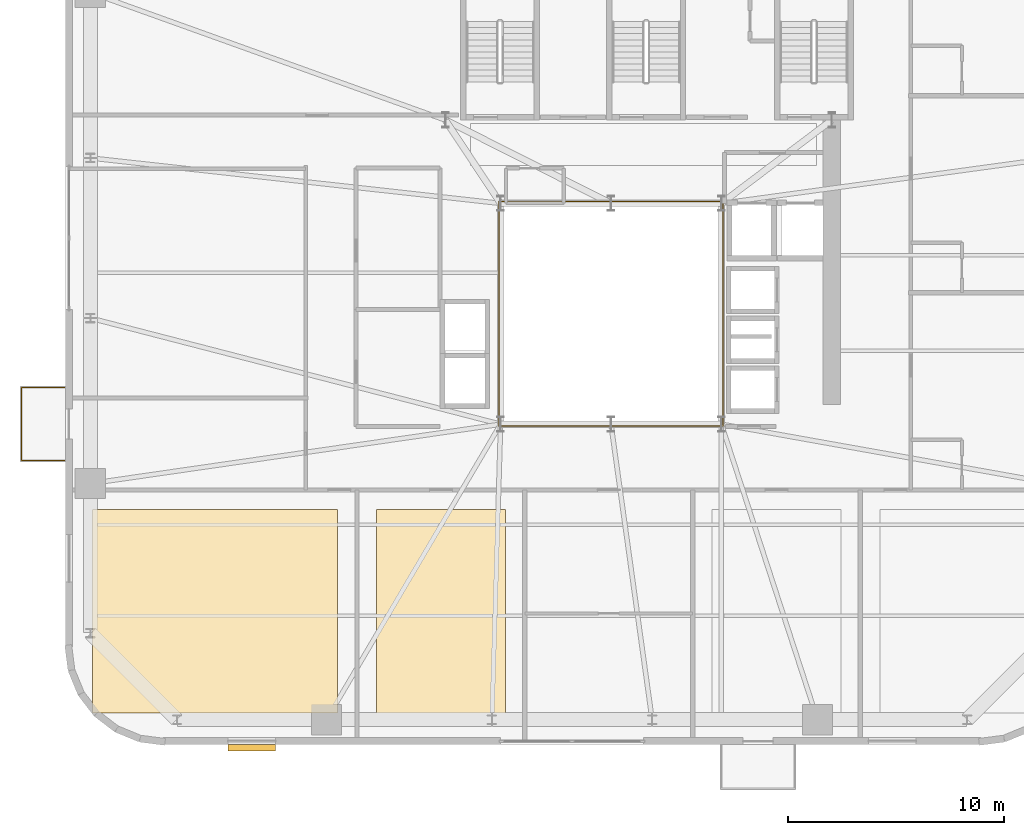
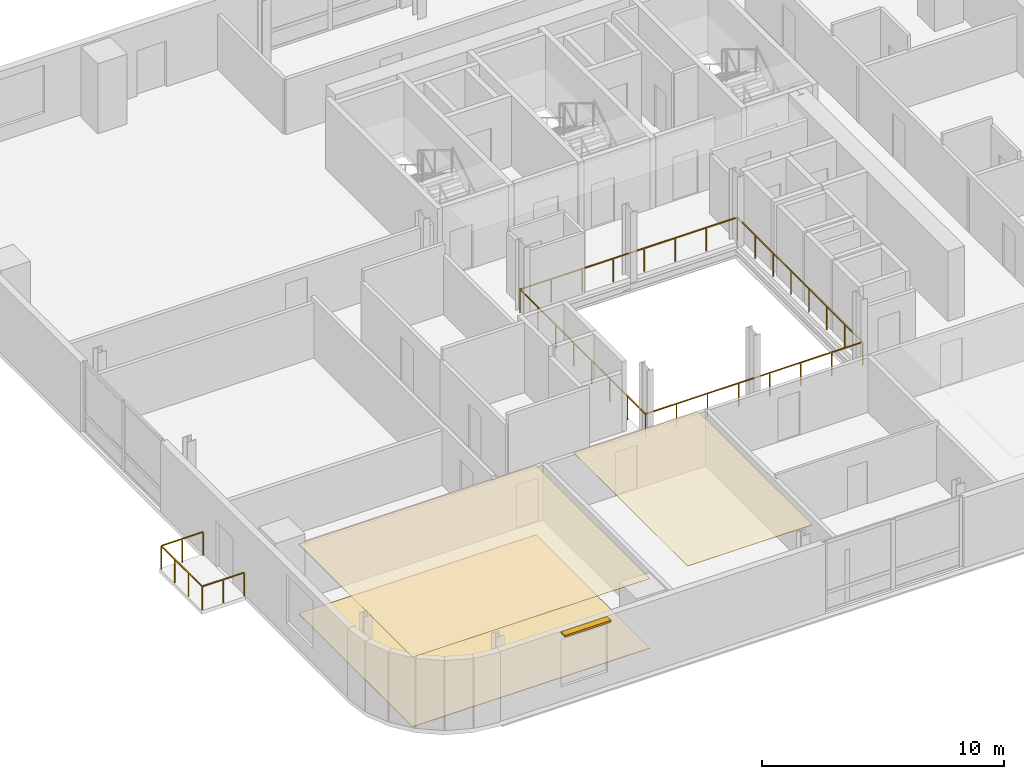
# One storey, part 12 of 16: 3 coverings, 2 railings, 1 shading device.
"""IFC4 building model written with IfcOpenShell, lengths in metres."""

from ifc_helpers import new_model, si_unit, direction, frame, origin, origin_2d, place, context, subcontext, project, spatial, polyline, rectangle, outline, extrude, source, transform, mapped, material, layer, layer_set, type_object, element, save


model = new_model("IFC4")

# Units and contexts
model_context = context("Model", 3, precision=1e-05, world=origin(), true_north=direction((0.0, 1.0)))
body_context = subcontext(model_context, "Body", "Model", "MODEL_VIEW")
ifc_project = project(units=[si_unit("LENGTHUNIT", "METRE"), si_unit("AREAUNIT", "SQUARE_METRE"), si_unit("VOLUMEUNIT", "CUBIC_METRE"), si_unit("PLANEANGLEUNIT", "RADIAN"), si_unit("MASSUNIT", "GRAM", prefix="KILO")], contexts=[model_context])

# Site, building, storey
site_placement = place(None, origin())
site = spatial("IfcSite", under=ifc_project, at=site_placement, CompositionType="ELEMENT")
building_placement = place(site_placement, origin())
building = spatial("IfcBuilding", under=site, at=building_placement, Name="Vardaveli Station Tower", CompositionType="ELEMENT")
storey_placement = place(building_placement, frame((0.0, 0.0, 192.300048828125)))
storey = spatial("IfcBuildingStorey", under=building, at=storey_placement, Name="L49", CompositionType="ELEMENT", Elevation=192.300048828125)

# Coverings
ifc_material_1 = material(Name="Perforated acoustic mineral ceiling")
ifc_layer_1 = layer(ifc_material_1, 0.02001953125, Name="Perforated acoustic mineral ceiling")
ifc_layer_set_1 = layer_set([ifc_layer_1], Name="Perforated acoustic mineral ceiling")
covering_type_1 = type_object("IfcCoveringType", Name="COV-CEIL-AC20", PredefinedType="CEILING", material=ifc_layer_set_1)
covering_1_placement = place(storey_placement, frame((0.0, 0.0, 3.514892578125)))
element("IfcCovering", 1, at=covering_1_placement, inside=storey, type_object=covering_type_1, Name="CEIL-L49-1", PredefinedType="CEILING", context=body_context, shape_type="SweptSolid", body=[
    extrude(outline(polyline([(12.35009765625, 3.25), (23.669921875, 3.25), (23.669921875, 12.669921875), (12.35009765625, 12.669921875), (12.35009765625, 3.25)])), origin(), (0.0, 0.0, 1.0), 0.02001953125),
])
covering_2_placement = place(storey_placement, frame((0.0, 0.0, 3.514892578125)))
element("IfcCovering", 2, at=covering_2_placement, inside=storey, type_object=covering_type_1, Name="CEIL-L49-2", PredefinedType="CEILING", context=body_context, shape_type="SweptSolid", body=[
    extrude(outline(polyline([(25.469970703125, 3.25), (31.419921875, 3.25), (31.419921875, 12.669921875), (25.469970703125, 12.669921875), (25.469970703125, 3.25)])), origin(), (0.0, 0.0, 1.0), 0.02001953125),
])
ifc_material_2 = material(Name="Honed Caucasian basalt and travertine flooring", Category="masonry")
ifc_layer_2 = layer(ifc_material_2, 0.030029296875, Name="Honed Caucasian basalt and travertine flooring")
ifc_layer_set_2 = layer_set([ifc_layer_2], Name="Honed Caucasian basalt and travertine flooring")
covering_type_2 = type_object("IfcCoveringType", Name="COV-FLOOR-ST30", PredefinedType="FLOORING", material=ifc_layer_set_2)
covering_3_placement = place(storey_placement, origin())
element("IfcCovering", 3, at=covering_3_placement, inside=storey, type_object=covering_type_2, Name="FLR-L49-1", PredefinedType="FLOORING", context=body_context, shape_type="SweptSolid", body=[
    extrude(outline(polyline([(12.35009765625, 3.25), (23.669921875, 3.25), (23.669921875, 12.669921875), (12.35009765625, 12.669921875), (12.35009765625, 3.25)])), origin(), (0.0, 0.0, 1.0), 0.030029296875),
])

# Shading device
ifc_material_3 = material(Name="Anodised champagne aluminium sunshade", Category="aluminium")
ifc_layer_3 = layer(ifc_material_3, 0.090087890625, Name="Anodised champagne aluminium sunshade")
ifc_layer_set_3 = layer_set([ifc_layer_3], Name="Anodised champagne aluminium sunshade")
shading_device_type = type_object("IfcShadingDeviceType", Name="SHD-SUNSHADE", PredefinedType="USERDEFINED", material=ifc_layer_set_3)
shared_shape_1 = source(origin(), body_context, "Body", "SweptSolid", [
    extrude(rectangle(XDim=2.199951171875, YDim=0.320068359375, at=origin_2d()), origin(), (0.0, 0.0, 1.0), 0.090087890625),
])
shading_device_placement = place(storey_placement, frame((19.705078125, 1.655029296875, 3.40966796875), z_axis=(0.0, 0.0, 1.0), x_axis=(1.0, 0.0, 0.0)))
element("IfcShadingDevice", 4, at=shading_device_placement, inside=storey, type_object=shading_device_type, Name="SHD-SS-L49-S", ObjectType="SUNSHADE", PredefinedType="USERDEFINED", context=body_context, shape_type="MappedRepresentation", body=[
    mapped(shared_shape_1, transform((0.0, 0.0, 0.0), scale=1.0)),
])

# Railings
ifc_material_4 = material(Name="Laminated glass and stainless steel balustrade", Category="steel")
railing_type = type_object("IfcRailingType", Name="RL-BAL-1200", PredefinedType="BALUSTRADE", material=ifc_material_4)
shared_shape_2 = source(origin(), body_context, "Body", "SweptSolid", [
    extrude(rectangle(XDim=0.048095703125, YDim=0.048095703125, at=origin_2d()), frame((0.0, 0.0, 1.17578125), z_axis=(-1.0, 0.0, 0.0), x_axis=(0.0, -1.0, 0.0)), (0.0, 0.0, 1.0), 2.0),
    extrude(rectangle(XDim=0.048095703125, YDim=0.048095703125, at=origin_2d()), frame((-2.0, 0.0, 1.17578125), z_axis=(0.0, 1.0, 0.0), x_axis=(-1.0, 0.0, 0.0)), (0.0, 0.0, 1.0), 3.3798828125),
    extrude(rectangle(XDim=0.048095703125, YDim=0.048095703125, at=origin_2d()), frame((-2.0, 3.3798828125, 1.17578125), z_axis=(1.0, 0.0, 0.0), x_axis=(0.0, 1.0, 0.0)), (0.0, 0.0, 1.0), 2.0),
    extrude(rectangle(XDim=0.0419921875, YDim=0.0419921875, at=origin_2d()), origin(), (0.0, 0.0, 1.0), 1.15185546875),
    extrude(rectangle(XDim=0.0419921875, YDim=0.0419921875, at=origin_2d()), frame((-1.0, 0.0, 0.0)), (0.0, 0.0, 1.0), 1.15185546875),
    extrude(rectangle(XDim=0.0419921875, YDim=0.0419921875, at=origin_2d()), frame((-2.0, 0.0, 0.0)), (0.0, 0.0, 1.0), 1.15185546875),
    extrude(rectangle(XDim=0.0419921875, YDim=0.0419921875, at=origin_2d()), frame((-2.0, 1.126708984375, 0.0)), (0.0, 0.0, 1.0), 1.15185546875),
    extrude(rectangle(XDim=0.0419921875, YDim=0.0419921875, at=origin_2d()), frame((-2.0, 2.253173828125, 0.0)), (0.0, 0.0, 1.0), 1.15185546875),
    extrude(rectangle(XDim=0.0419921875, YDim=0.0419921875, at=origin_2d()), frame((-2.0, 3.3798828125, 0.0)), (0.0, 0.0, 1.0), 1.15185546875),
    extrude(rectangle(XDim=0.0419921875, YDim=0.0419921875, at=origin_2d()), frame((-1.0, 3.3798828125, 0.0)), (0.0, 0.0, 1.0), 1.15185546875),
    extrude(rectangle(XDim=0.0419921875, YDim=0.0419921875, at=origin_2d()), frame((0.0, 3.3798828125, 0.0)), (0.0, 0.0, 1.0), 1.15185546875),
])
railing_1_placement = place(storey_placement, frame((11.06005859375, 14.92041015625, 0.0)))
element("IfcRailing", 5, at=railing_1_placement, inside=storey, type_object=railing_type, Name="RL-LOG-L49-03", PredefinedType="BALUSTRADE", context=body_context, shape_type="MappedRepresentation", body=[
    mapped(shared_shape_2, transform((0.0, 0.0, 0.0), scale=1.0)),
])
shared_shape_3 = source(origin(), body_context, "Body", "SweptSolid", [
    extrude(rectangle(XDim=0.048095703125, YDim=0.048095703125, at=origin_2d()), frame((0.0, 0.0, 1.17578125), z_axis=(1.0, 0.0, 0.0), x_axis=(0.0, 1.0, 0.0)), (0.0, 0.0, 1.0), 10.35986328125),
    extrude(rectangle(XDim=0.048095703125, YDim=0.048095703125, at=origin_2d()), frame((10.35986328125, 0.0, 1.17578125), z_axis=(0.0, 1.0, 0.0), x_axis=(-1.0, 0.0, 0.0)), (0.0, 0.0, 1.0), 10.35986328125),
    extrude(rectangle(XDim=0.048095703125, YDim=0.048095703125, at=origin_2d()), frame((10.35986328125, 10.35986328125, 1.17578125), z_axis=(-1.0, 0.0, 0.0), x_axis=(0.0, -1.0, 0.0)), (0.0, 0.0, 1.0), 10.35986328125),
    extrude(rectangle(XDim=0.048095703125, YDim=0.048095703125, at=origin_2d()), frame((0.0, 10.35986328125, 1.17578125), z_axis=(0.0, -1.0, 0.0), x_axis=(1.0, 0.0, 0.0)), (0.0, 0.0, 1.0), 10.35986328125),
    extrude(rectangle(XDim=0.0419921875, YDim=0.0419921875, at=origin_2d()), origin(), (0.0, 0.0, 1.0), 1.15185546875),
    extrude(rectangle(XDim=0.0419921875, YDim=0.0419921875, at=origin_2d()), frame((1.47998046875, 0.0, 0.0)), (0.0, 0.0, 1.0), 1.15185546875),
    extrude(rectangle(XDim=0.0419921875, YDim=0.0419921875, at=origin_2d()), frame((2.9599609375, 0.0, 0.0)), (0.0, 0.0, 1.0), 1.15185546875),
    extrude(rectangle(XDim=0.0419921875, YDim=0.0419921875, at=origin_2d()), frame((4.43994140625, 0.0, 0.0)), (0.0, 0.0, 1.0), 1.15185546875),
    extrude(rectangle(XDim=0.0419921875, YDim=0.0419921875, at=origin_2d()), frame((5.919921875, 0.0, 0.0)), (0.0, 0.0, 1.0), 1.15185546875),
    extrude(rectangle(XDim=0.0419921875, YDim=0.0419921875, at=origin_2d()), frame((7.39990234375, 0.0, 0.0)), (0.0, 0.0, 1.0), 1.15185546875),
    extrude(rectangle(XDim=0.0419921875, YDim=0.0419921875, at=origin_2d()), frame((8.8798828125, 0.0, 0.0)), (0.0, 0.0, 1.0), 1.15185546875),
    extrude(rectangle(XDim=0.0419921875, YDim=0.0419921875, at=origin_2d()), frame((10.35986328125, 0.0, 0.0)), (0.0, 0.0, 1.0), 1.15185546875),
    extrude(rectangle(XDim=0.0419921875, YDim=0.0419921875, at=origin_2d()), frame((10.35986328125, 1.47998046875, 0.0)), (0.0, 0.0, 1.0), 1.15185546875),
    extrude(rectangle(XDim=0.0419921875, YDim=0.0419921875, at=origin_2d()), frame((10.35986328125, 2.9599609375, 0.0)), (0.0, 0.0, 1.0), 1.15185546875),
    extrude(rectangle(XDim=0.0419921875, YDim=0.0419921875, at=origin_2d()), frame((10.35986328125, 4.43994140625, 0.0)), (0.0, 0.0, 1.0), 1.15185546875),
    extrude(rectangle(XDim=0.0419921875, YDim=0.0419921875, at=origin_2d()), frame((10.35986328125, 5.919921875, 0.0)), (0.0, 0.0, 1.0), 1.15185546875),
    extrude(rectangle(XDim=0.0419921875, YDim=0.0419921875, at=origin_2d()), frame((10.35986328125, 7.39990234375, 0.0)), (0.0, 0.0, 1.0), 1.15185546875),
    extrude(rectangle(XDim=0.0419921875, YDim=0.0419921875, at=origin_2d()), frame((10.35986328125, 8.8798828125, 0.0)), (0.0, 0.0, 1.0), 1.15185546875),
    extrude(rectangle(XDim=0.0419921875, YDim=0.0419921875, at=origin_2d()), frame((10.35986328125, 10.35986328125, 0.0)), (0.0, 0.0, 1.0), 1.15185546875),
    extrude(rectangle(XDim=0.0419921875, YDim=0.0419921875, at=origin_2d()), frame((8.8798828125, 10.35986328125, 0.0)), (0.0, 0.0, 1.0), 1.15185546875),
    extrude(rectangle(XDim=0.0419921875, YDim=0.0419921875, at=origin_2d()), frame((7.39990234375, 10.35986328125, 0.0)), (0.0, 0.0, 1.0), 1.15185546875),
    extrude(rectangle(XDim=0.0419921875, YDim=0.0419921875, at=origin_2d()), frame((5.919921875, 10.35986328125, 0.0)), (0.0, 0.0, 1.0), 1.15185546875),
    extrude(rectangle(XDim=0.0419921875, YDim=0.0419921875, at=origin_2d()), frame((4.43994140625, 10.35986328125, 0.0)), (0.0, 0.0, 1.0), 1.15185546875),
    extrude(rectangle(XDim=0.0419921875, YDim=0.0419921875, at=origin_2d()), frame((2.9599609375, 10.35986328125, 0.0)), (0.0, 0.0, 1.0), 1.15185546875),
    extrude(rectangle(XDim=0.0419921875, YDim=0.0419921875, at=origin_2d()), frame((1.47998046875, 10.35986328125, 0.0)), (0.0, 0.0, 1.0), 1.15185546875),
    extrude(rectangle(XDim=0.0419921875, YDim=0.0419921875, at=origin_2d()), frame((0.0, 10.35986328125, 0.0)), (0.0, 0.0, 1.0), 1.15185546875),
    extrude(rectangle(XDim=0.0419921875, YDim=0.0419921875, at=origin_2d()), frame((0.0, 8.8798828125, 0.0)), (0.0, 0.0, 1.0), 1.15185546875),
    extrude(rectangle(XDim=0.0419921875, YDim=0.0419921875, at=origin_2d()), frame((0.0, 7.39990234375, 0.0)), (0.0, 0.0, 1.0), 1.15185546875),
    extrude(rectangle(XDim=0.0419921875, YDim=0.0419921875, at=origin_2d()), frame((0.0, 5.919921875, 0.0)), (0.0, 0.0, 1.0), 1.15185546875),
    extrude(rectangle(XDim=0.0419921875, YDim=0.0419921875, at=origin_2d()), frame((0.0, 4.43994140625, 0.0)), (0.0, 0.0, 1.0), 1.15185546875),
    extrude(rectangle(XDim=0.0419921875, YDim=0.0419921875, at=origin_2d()), frame((0.0, 2.9599609375, 0.0)), (0.0, 0.0, 1.0), 1.15185546875),
    extrude(rectangle(XDim=0.0419921875, YDim=0.0419921875, at=origin_2d()), frame((0.0, 1.47998046875, 0.0)), (0.0, 0.0, 1.0), 1.15185546875),
])
railing_2_placement = place(storey_placement, frame((31.1201171875, 16.52001953125, 0.0)))
element("IfcRailing", 6, at=railing_2_placement, inside=storey, type_object=railing_type, Name="RL-ATR-L49", PredefinedType="BALUSTRADE", context=body_context, shape_type="MappedRepresentation", body=[
    mapped(shared_shape_3, transform((0.0, 0.0, 0.0), scale=1.0)),
])

save(model, "model.ifc")
